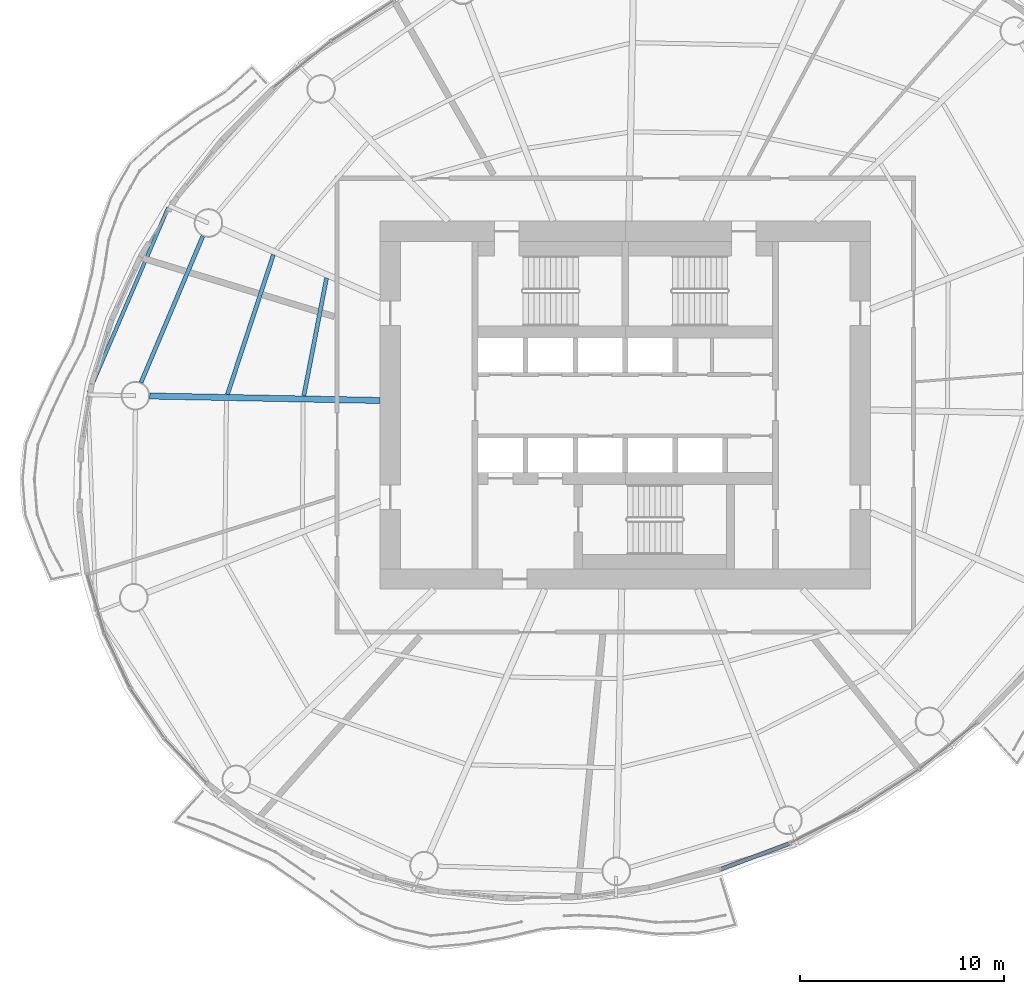
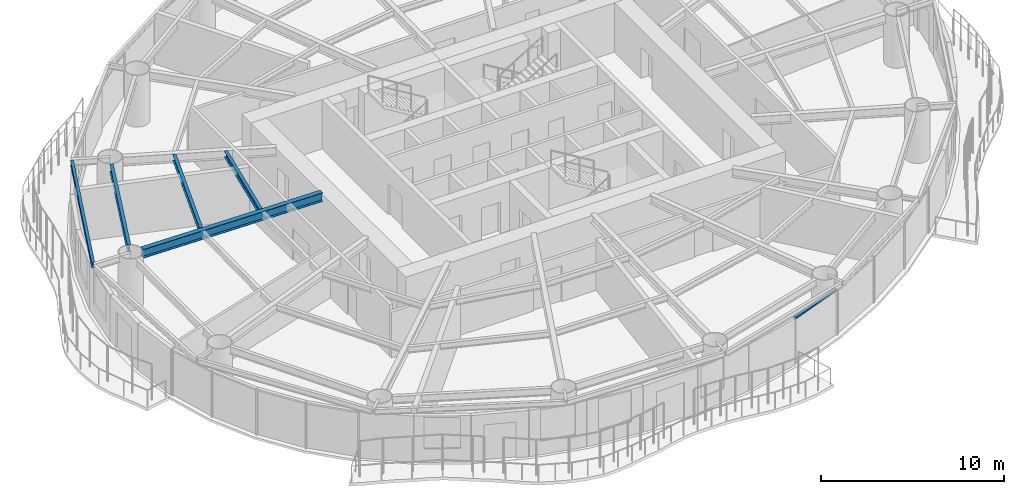
# One storey, part 3 of 15: 5 beams, 1 member, 1 element without a shape of its own.
"""IFC4 building model written with IfcOpenShell, lengths in metres."""

from ifc_helpers import new_model, si_unit, direction, frame, origin, origin_2d, place, context, subcontext, project, spatial, rectangle, i_section, extrude, material, material_profile, profile_set, type_object, element, aggregate, save


model = new_model("IFC4")

# Units and contexts
model_context = context("Model", 3, precision=1e-05, world=origin(), true_north=direction((0.0, 1.0)))
body_context = subcontext(model_context, "Body", "Model", "MODEL_VIEW")
ifc_project = project(units=[si_unit("LENGTHUNIT", "METRE"), si_unit("AREAUNIT", "SQUARE_METRE"), si_unit("VOLUMEUNIT", "CUBIC_METRE"), si_unit("PLANEANGLEUNIT", "RADIAN"), si_unit("MASSUNIT", "GRAM", prefix="KILO")], contexts=[model_context])

# Site, building, storey
site_placement = place(None, origin())
site = spatial("IfcSite", under=ifc_project, at=site_placement, CompositionType="ELEMENT")
building_placement = place(site_placement, origin())
building = spatial("IfcBuilding", under=site, at=building_placement, Name="Vermilion Reach Broadcast Tower", CompositionType="ELEMENT")
storey_placement = place(building_placement, frame((0.0, 0.0, 154.199951171875)))
storey = spatial("IfcBuildingStorey", under=building, at=storey_placement, Name="L36", CompositionType="ELEMENT", Elevation=154.199951171875)

# Beams
ifc_material_1 = material(Name="Steel S355J2", Category="steel")
ifc_material_profile_1 = material_profile(ifc_material_1, i_section(OverallWidth=0.175048828125, OverallDepth=0.35009765625, WebThickness=0.007080078125, FlangeThickness=0.010986328125, at=origin_2d()), Name="S355J2 HN 350x175x7x11")
ifc_profile_set_1 = profile_set([ifc_material_profile_1], Name="Steel S355J2")
beam_type_1 = type_object("IfcBeamType", Name="EB3 HN 350x175x7x11", PredefinedType="BEAM", material=ifc_profile_set_1)
beam_1_placement = place(storey_placement, frame((-28.357421875, 9.663330078125, 3.275146484375), z_axis=(-0.394633797127, -0.918838487529, 0.0), x_axis=(0.918838487529, -0.394633797127, 0.0)))
element("IfcBeam", 1, at=beam_1_placement, inside=storey, type_object=beam_type_1, Name="Edge beam EB3-06", PredefinedType="BEAM", context=body_context, shape_type="SweptSolid", body=[
    extrude(i_section(OverallWidth=0.175048828125, OverallDepth=0.35009765625, WebThickness=0.007080078125, FlangeThickness=0.010986328125, at=origin_2d()), origin(), (0.0, 0.0, 1.0), 9.8544921875),
])
ifc_material_2 = material(Name="Steel S355J2", Category="steel")
ifc_material_profile_2 = material_profile(ifc_material_2, i_section(OverallWidth=0.300048828125, OverallDepth=0.587890625, WebThickness=0.011962890625, FlangeThickness=0.02001953125, at=origin_2d()), Name="S355J2 HM 588x300x12x20")
ifc_profile_set_2 = profile_set([ifc_material_profile_2], Name="Steel S355J2")
beam_type_2 = type_object("IfcBeamType", Name="G3 HM 588x300x12x20", PredefinedType="BEAM", material=ifc_profile_set_2)
beam_2_placement = place(storey_placement, frame((-18.0, 0.232421875, 3.156005859375), z_axis=(-0.999812170888, 0.019380994401, 0.0), x_axis=(-0.019380994401, -0.999812170888, 0.0)))
element("IfcBeam", 2, at=beam_2_placement, inside=storey, type_object=beam_type_2, Name="Girder G3-07", PredefinedType="BEAM", context=body_context, shape_type="SweptSolid", body=[
    extrude(i_section(OverallWidth=0.300048828125, OverallDepth=0.587890625, WebThickness=0.011962890625, FlangeThickness=0.02001953125, at=origin_2d()), origin(), (0.0, 0.0, 1.0), 11.26171875),
])
ifc_material_3 = material(Name="Steel S355J2", Category="steel")
ifc_material_profile_3 = material_profile(ifc_material_3, i_section(OverallWidth=0.199951171875, OverallDepth=0.5, WebThickness=0.010009765625, FlangeThickness=0.01611328125, at=origin_2d()), Name="S355J2 HN 500x200x10x16")
ifc_profile_set_3 = profile_set([ifc_material_profile_3], Name="Steel S355J2")
beam_type_3 = type_object("IfcBeamType", Name="RB3 HN 500x200x10x16", PredefinedType="BEAM", material=ifc_profile_set_3)
beam_3_placement = place(storey_placement, frame((-26.660888671875, 8.266845703125, 3.199951171875), z_axis=(-0.389368386196, -0.921082113512, 0.0), x_axis=(0.921082113512, -0.389368386196, 0.0)))
element("IfcBeam", 3, at=beam_3_placement, inside=storey, type_object=beam_type_3, Name="Ring beam RB3-06", PredefinedType="BEAM", context=body_context, shape_type="SweptSolid", body=[
    extrude(i_section(OverallWidth=0.199951171875, OverallDepth=0.5, WebThickness=0.010009765625, FlangeThickness=0.01611328125, at=origin_2d()), origin(), (0.0, 0.0, 1.0), 7.771240234375),
])
ifc_material_4 = material(Name="Steel S355J2", Category="steel")
ifc_material_profile_4 = material_profile(ifc_material_4, i_section(OverallWidth=0.199951171875, OverallDepth=0.39990234375, WebThickness=0.008056640625, FlangeThickness=0.012939453125, at=origin_2d()), Name="S355J2 HN 400x200x8x13")
ifc_profile_set_4 = profile_set([ifc_material_profile_4], Name="Steel S355J2")
beam_type_4 = type_object("IfcBeamType", Name="SB3 HN 400x200x8x13", PredefinedType="BEAM", material=ifc_profile_set_4)
beam_4_placement = place(storey_placement, frame((-20.611328125, 6.222900390625, 3.25), z_axis=(-0.189462365782, -0.981887983404, 0.0), x_axis=(0.981887983404, -0.189462365782, 0.0)))
element("IfcBeam", 4, at=beam_4_placement, inside=storey, type_object=beam_type_4, Name="Secondary beam SB3-06-1", PredefinedType="BEAM", context=body_context, shape_type="SweptSolid", body=[
    extrude(i_section(OverallWidth=0.199951171875, OverallDepth=0.39990234375, WebThickness=0.008056640625, FlangeThickness=0.012939453125, at=origin_2d()), origin(), (0.0, 0.0, 1.0), 5.874755859375),
])
beam_5_placement = place(storey_placement, frame((-23.211669921875, 7.359375, 3.25), z_axis=(-0.312243016281, -0.950002262515, 0.0), x_axis=(0.950002262515, -0.312243016281, 0.0)))
element("IfcBeam", 5, at=beam_5_placement, inside=storey, type_object=beam_type_4, Name="Secondary beam SB3-06-2", PredefinedType="BEAM", context=body_context, shape_type="SweptSolid", body=[
    extrude(i_section(OverallWidth=0.199951171875, OverallDepth=0.39990234375, WebThickness=0.008056640625, FlangeThickness=0.012939453125, at=origin_2d()), origin(), (0.0, 0.0, 1.0), 7.19189453125),
])

# Curtain wall, member
ifc_material_5 = material(Name="Low-e laminated clear glass in aluminium frame", Category="aluminium")
curtain_wall_type = type_object("IfcCurtainWallType", Name="Slot curtain wall", PredefinedType="NOTDEFINED", material=ifc_material_5)
curtain_wall_placement = place(storey_placement, origin())
curtain_wall = element("IfcCurtainWall", 6, at=curtain_wall_placement, inside=storey, type_object=curtain_wall_type, Name="Slot curtain wall L36 34", PredefinedType="NOTDEFINED")
ifc_material_6 = material(Name="Anodised aluminium", Category="aluminium")
ifc_material_profile_5 = material_profile(ifc_material_6, rectangle(XDim=0.199951171875, YDim=0.10009765625, at=origin_2d()), Name="Slot transom 200 x 100")
ifc_profile_set_5 = profile_set([ifc_material_profile_5], Name="Anodised aluminium")
member_type = type_object("IfcMemberType", Name="Slot transom 200 x 100", PredefinedType="USERDEFINED", material=ifc_profile_set_5)
member_placement = place(storey_placement, frame((-1.3115234375, -22.6865234375, 3.050048828125), z_axis=(0.936667788588, 0.350219151135, 0.0), x_axis=(-0.350219151135, 0.936667788588, 0.0)))
member = element("IfcMember", 7, at=member_placement, type_object=member_type, Name="Slot transom L36 34.1", ObjectType="TRANSOM", PredefinedType="USERDEFINED", context=body_context, shape_type="SweptSolid", body=[
    extrude(rectangle(XDim=0.199951171875, YDim=0.10009765625, at=origin_2d()), origin(), (0.0, 0.0, 1.0), 3.551025390625),
])
aggregate(curtain_wall, [member])

save(model, "model.ifc")
